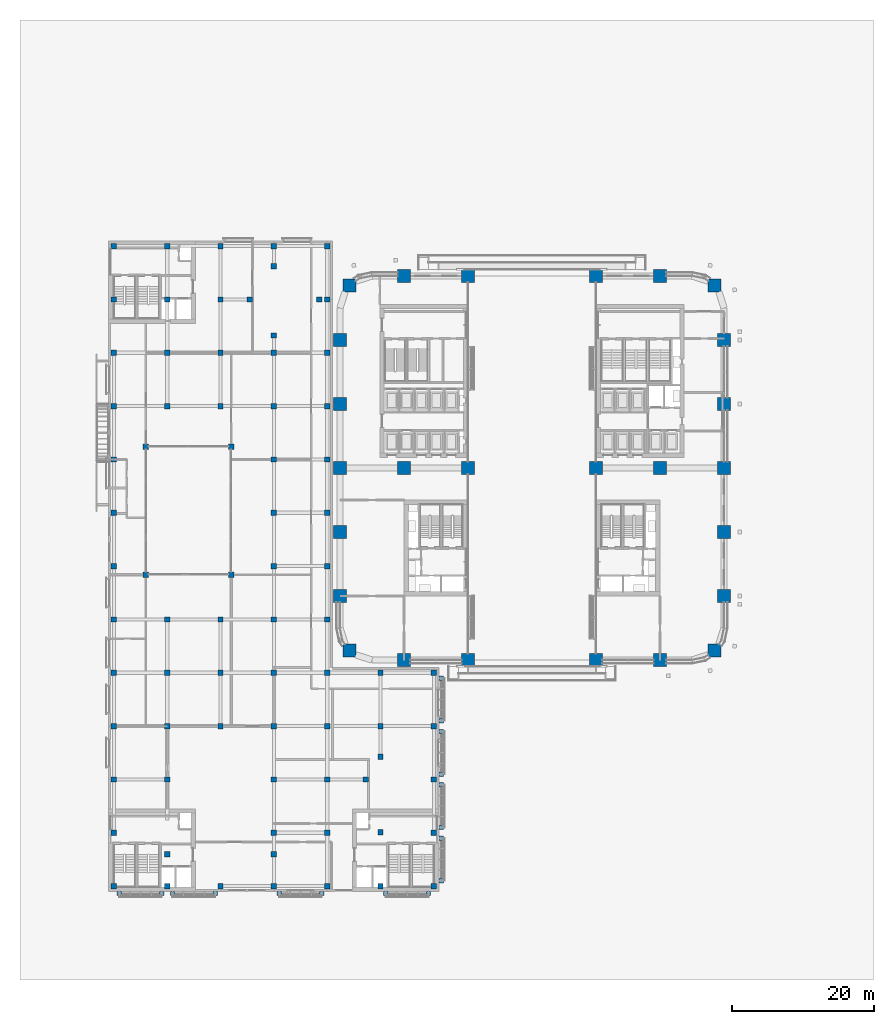
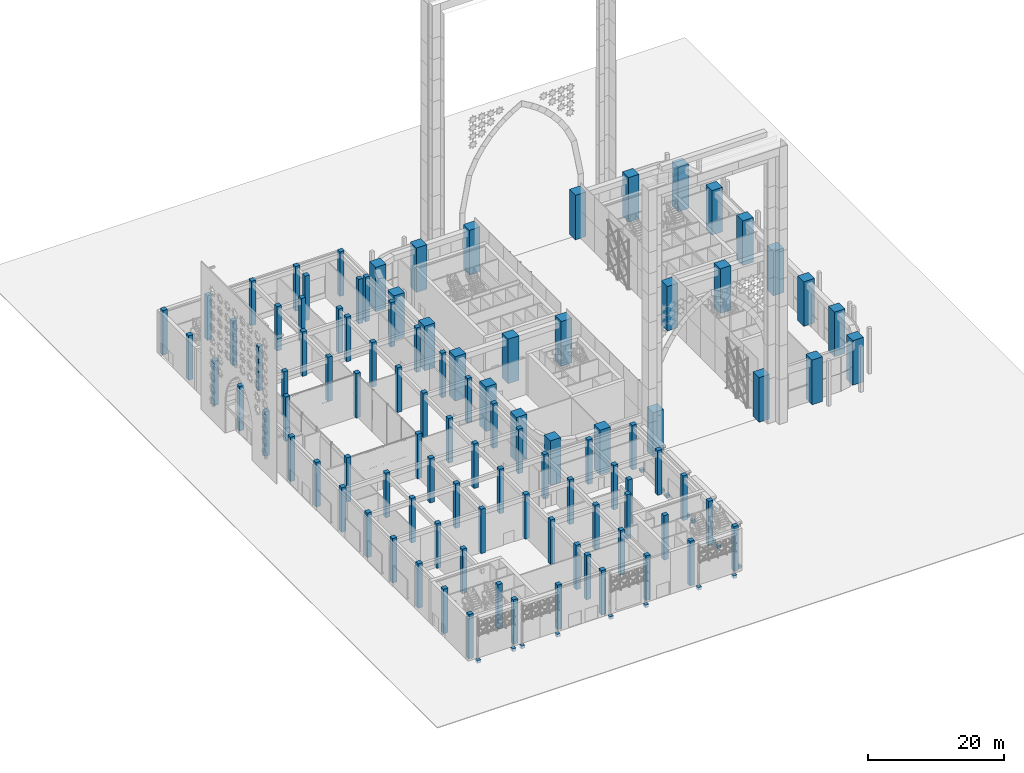
# One storey, part 1 of 64: 102 columns, 16 footings.
"""IFC4 building model written with IfcOpenShell, lengths in metres."""

from ifc_helpers import new_model, si_unit, direction, frame, origin, origin_2d, place, context, subcontext, project, spatial, polyline, rectangle, outline, extrude, material, layer, layer_set, material_profile, profile_set, type_object, element, save


model = new_model("IFC4")

# Units and contexts
model_context = context("Model", 3, precision=1e-05, world=origin(), true_north=direction((0.0, 1.0)))
body_context = subcontext(model_context, "Body", "Model", "MODEL_VIEW")
ifc_project = project(units=[si_unit("LENGTHUNIT", "METRE"), si_unit("AREAUNIT", "SQUARE_METRE"), si_unit("VOLUMEUNIT", "CUBIC_METRE"), si_unit("PLANEANGLEUNIT", "RADIAN"), si_unit("MASSUNIT", "GRAM", prefix="KILO")], contexts=[model_context])

# Site, building, storey
site_placement = place(None, origin())
site = spatial("IfcSite", under=ifc_project, at=site_placement, CompositionType="ELEMENT")
building_placement = place(site_placement, origin())
building = spatial("IfcBuilding", under=site, at=building_placement, Name="Tessera Arch", CompositionType="ELEMENT")
storey_placement = place(building_placement, origin())
storey = spatial("IfcBuildingStorey", under=building, at=storey_placement, Name="L00", CompositionType="ELEMENT", Elevation=0.0)

# Footings
ifc_material_1 = material(Name="Concrete C30/37", Category="concrete")
ifc_layer = layer(ifc_material_1, 0.5)
ifc_layer_set = layer_set([ifc_layer], Name="Screen post pad")
footing_type = type_object("IfcFootingType", Name="Screen post pad", PredefinedType="PAD_FOOTING", material=ifc_layer_set)
footing_1_placement = place(storey_placement, frame((0.0, 0.0, -0.5)))
element("IfcFooting", 1, at=footing_1_placement, inside=storey, type_object=footing_type, Name="Screen post pad", PredefinedType="PAD_FOOTING", context=body_context, shape_type="SweptSolid", body=[
    extrude(outline(polyline([(-31.35009765625, -32.550048828125), (-30.75, -32.550048828125), (-30.75, -33.14990234375), (-31.35009765625, -33.14990234375), (-31.35009765625, -32.550048828125)])), origin(), (0.0, 0.0, 1.0), 0.5),
])
footing_2_placement = place(storey_placement, frame((0.0, 0.0, -0.5)))
element("IfcFooting", 2, at=footing_2_placement, inside=storey, type_object=footing_type, Name="Screen post pad", PredefinedType="PAD_FOOTING", context=body_context, shape_type="SweptSolid", body=[
    extrude(outline(polyline([(-25.35009765625, -32.550048828125), (-24.75, -32.550048828125), (-24.75, -33.14990234375), (-25.35009765625, -33.14990234375), (-25.35009765625, -32.550048828125)])), origin(), (0.0, 0.0, 1.0), 0.5),
])
footing_3_placement = place(storey_placement, frame((0.0, 0.0, -0.5)))
element("IfcFooting", 3, at=footing_3_placement, inside=storey, type_object=footing_type, Name="Screen post pad", PredefinedType="PAD_FOOTING", context=body_context, shape_type="SweptSolid", body=[
    extrude(outline(polyline([(-23.85009765625, -32.550048828125), (-23.25, -32.550048828125), (-23.25, -33.14990234375), (-23.85009765625, -33.14990234375), (-23.85009765625, -32.550048828125)])), origin(), (0.0, 0.0, 1.0), 0.5),
])
footing_4_placement = place(storey_placement, frame((0.0, 0.0, -0.5)))
element("IfcFooting", 4, at=footing_4_placement, inside=storey, type_object=footing_type, Name="Screen post pad", PredefinedType="PAD_FOOTING", context=body_context, shape_type="SweptSolid", body=[
    extrude(outline(polyline([(-17.85009765625, -32.550048828125), (-17.25, -32.550048828125), (-17.25, -33.14990234375), (-17.85009765625, -33.14990234375), (-17.85009765625, -32.550048828125)])), origin(), (0.0, 0.0, 1.0), 0.5),
])
footing_5_placement = place(storey_placement, frame((0.0, 0.0, -0.5)))
element("IfcFooting", 5, at=footing_5_placement, inside=storey, type_object=footing_type, Name="Screen post pad", PredefinedType="PAD_FOOTING", context=body_context, shape_type="SweptSolid", body=[
    extrude(outline(polyline([(-8.85009765625, -32.550048828125), (-8.25, -32.550048828125), (-8.25, -33.14990234375), (-8.85009765625, -33.14990234375), (-8.85009765625, -32.550048828125)])), origin(), (0.0, 0.0, 1.0), 0.5),
])
footing_6_placement = place(storey_placement, frame((0.0, 0.0, -0.5)))
element("IfcFooting", 6, at=footing_6_placement, inside=storey, type_object=footing_type, Name="Screen post pad", PredefinedType="PAD_FOOTING", context=body_context, shape_type="SweptSolid", body=[
    extrude(outline(polyline([(-2.85009765625, -32.550048828125), (-2.25, -32.550048828125), (-2.25, -33.14990234375), (-2.85009765625, -33.14990234375), (-2.85009765625, -32.550048828125)])), origin(), (0.0, 0.0, 1.0), 0.5),
])
footing_7_placement = place(storey_placement, frame((0.0, 0.0, -0.5)))
element("IfcFooting", 7, at=footing_7_placement, inside=storey, type_object=footing_type, Name="Screen post pad", PredefinedType="PAD_FOOTING", context=body_context, shape_type="SweptSolid", body=[
    extrude(outline(polyline([(6.14990234375, -32.550048828125), (6.75, -32.550048828125), (6.75, -33.14990234375), (6.14990234375, -33.14990234375), (6.14990234375, -32.550048828125)])), origin(), (0.0, 0.0, 1.0), 0.5),
])
footing_8_placement = place(storey_placement, frame((0.0, 0.0, -0.5)))
element("IfcFooting", 8, at=footing_8_placement, inside=storey, type_object=footing_type, Name="Screen post pad", PredefinedType="PAD_FOOTING", context=body_context, shape_type="SweptSolid", body=[
    extrude(outline(polyline([(12.14990234375, -32.550048828125), (12.75, -32.550048828125), (12.75, -33.14990234375), (12.14990234375, -33.14990234375), (12.14990234375, -32.550048828125)])), origin(), (0.0, 0.0, 1.0), 0.5),
])
footing_9_placement = place(storey_placement, frame((0.0, 0.0, -0.5)))
element("IfcFooting", 9, at=footing_9_placement, inside=storey, type_object=footing_type, Name="Screen post pad", PredefinedType="PAD_FOOTING", context=body_context, shape_type="SweptSolid", body=[
    extrude(outline(polyline([(13.949951171875, -31.35009765625), (13.949951171875, -30.75), (14.550048828125, -30.75), (14.550048828125, -31.35009765625), (13.949951171875, -31.35009765625)])), origin(), (0.0, 0.0, 1.0), 0.5),
])
footing_10_placement = place(storey_placement, frame((0.0, 0.0, -0.5)))
element("IfcFooting", 10, at=footing_10_placement, inside=storey, type_object=footing_type, Name="Screen post pad", PredefinedType="PAD_FOOTING", context=body_context, shape_type="SweptSolid", body=[
    extrude(outline(polyline([(13.949951171875, -25.35009765625), (13.949951171875, -24.75), (14.550048828125, -24.75), (14.550048828125, -25.35009765625), (13.949951171875, -25.35009765625)])), origin(), (0.0, 0.0, 1.0), 0.5),
])
footing_11_placement = place(storey_placement, frame((0.0, 0.0, -0.5)))
element("IfcFooting", 11, at=footing_11_placement, inside=storey, type_object=footing_type, Name="Screen post pad", PredefinedType="PAD_FOOTING", context=body_context, shape_type="SweptSolid", body=[
    extrude(outline(polyline([(13.949951171875, -23.85009765625), (13.949951171875, -23.25), (14.550048828125, -23.25), (14.550048828125, -23.85009765625), (13.949951171875, -23.85009765625)])), origin(), (0.0, 0.0, 1.0), 0.5),
])
footing_12_placement = place(storey_placement, frame((0.0, 0.0, -0.5)))
element("IfcFooting", 12, at=footing_12_placement, inside=storey, type_object=footing_type, Name="Screen post pad", PredefinedType="PAD_FOOTING", context=body_context, shape_type="SweptSolid", body=[
    extrude(outline(polyline([(13.949951171875, -17.85009765625), (13.949951171875, -17.25), (14.550048828125, -17.25), (14.550048828125, -17.85009765625), (13.949951171875, -17.85009765625)])), origin(), (0.0, 0.0, 1.0), 0.5),
])
footing_13_placement = place(storey_placement, frame((0.0, 0.0, -0.5)))
element("IfcFooting", 13, at=footing_13_placement, inside=storey, type_object=footing_type, Name="Screen post pad", PredefinedType="PAD_FOOTING", context=body_context, shape_type="SweptSolid", body=[
    extrude(outline(polyline([(13.949951171875, -16.35009765625), (13.949951171875, -15.75), (14.550048828125, -15.75), (14.550048828125, -16.35009765625), (13.949951171875, -16.35009765625)])), origin(), (0.0, 0.0, 1.0), 0.5),
])
footing_14_placement = place(storey_placement, frame((0.0, 0.0, -0.5)))
element("IfcFooting", 14, at=footing_14_placement, inside=storey, type_object=footing_type, Name="Screen post pad", PredefinedType="PAD_FOOTING", context=body_context, shape_type="SweptSolid", body=[
    extrude(outline(polyline([(13.949951171875, -10.35009765625), (13.949951171875, -9.75), (14.550048828125, -9.75), (14.550048828125, -10.35009765625), (13.949951171875, -10.35009765625)])), origin(), (0.0, 0.0, 1.0), 0.5),
])
footing_15_placement = place(storey_placement, frame((0.0, 0.0, -0.5)))
element("IfcFooting", 15, at=footing_15_placement, inside=storey, type_object=footing_type, Name="Screen post pad", PredefinedType="PAD_FOOTING", context=body_context, shape_type="SweptSolid", body=[
    extrude(outline(polyline([(13.949951171875, -8.85009765625), (13.949951171875, -8.25), (14.550048828125, -8.25), (14.550048828125, -8.85009765625), (13.949951171875, -8.85009765625)])), origin(), (0.0, 0.0, 1.0), 0.5),
])
footing_16_placement = place(storey_placement, frame((0.0, 0.0, -0.5)))
element("IfcFooting", 16, at=footing_16_placement, inside=storey, type_object=footing_type, Name="Screen post pad", PredefinedType="PAD_FOOTING", context=body_context, shape_type="SweptSolid", body=[
    extrude(outline(polyline([(13.949951171875, -2.85009765625), (13.949951171875, -2.25), (14.550048828125, -2.25), (14.550048828125, -2.85009765625), (13.949951171875, -2.85009765625)])), origin(), (0.0, 0.0, 1.0), 0.5),
])

# Columns
ifc_material_2 = material(Name="Concrete C50/60", Category="concrete")
ifc_material_profile_1 = material_profile(ifc_material_2, rectangle(XDim=0.75, YDim=0.75, at=origin_2d()), Name="Museum column 750 x 750 Concrete C50/60")
ifc_profile_set_1 = profile_set([ifc_material_profile_1], Name="Concrete C50/60")
column_type_1 = type_object("IfcColumnType", Name="Museum column 750 x 750 Concrete C50/60", PredefinedType="COLUMN", material=ifc_profile_set_1)
for number, where, z_axis, x_axis, name in (
    (17, (-31.800048828125, -31.800048828125, 0.0), (0.0, 0.0, 1.0), (1.0, 0.0, 0.0), "Museum column P1Q1 L00"),
    (18, (-31.800048828125, -24.300048828125, 0.0), (0.0, 0.0, 1.0), (1.0, 0.0, 0.0), "Museum column P1Q2 L00"),
    (19, (-31.800048828125, -16.800048828125, 0.0), (0.0, 0.0, 1.0), (1.0, 0.0, 0.0), "Museum column P1Q3 L00"),
    (20, (-31.800048828125, -9.300048828125, 0.0), (0.0, 0.0, 1.0), (1.0, 0.0, 0.0), "Museum column P1Q4 L00"),
    (21, (-31.800048828125, -1.800048828125, 0.0), (0.0, 0.0, 1.0), (1.0, 0.0, 0.0), "Museum column P1Q5 L00"),
    (22, (-31.800048828125, 5.699951171875, 0.0), (0.0, 0.0, 1.0), (1.0, 0.0, 0.0), "Museum column P1Q6 L00"),
    (23, (-31.800048828125, 13.199951171875, 0.0), (0.0, 0.0, 1.0), (1.0, 0.0, 0.0), "Museum column P1Q7 L00"),
    (24, (-31.800048828125, 20.699951171875, 0.0), (0.0, 0.0, 1.0), (1.0, 0.0, 0.0), "Museum column P1Q8 L00"),
    (25, (-31.800048828125, 28.199951171875, 0.0), (0.0, 0.0, 1.0), (1.0, 0.0, 0.0), "Museum column P1Q9 L00"),
    (26, (-31.800048828125, 35.699951171875, 0.0), (0.0, 0.0, 1.0), (1.0, 0.0, 0.0), "Museum column P1Q10 L00"),
    (27, (-31.800048828125, 43.199951171875, 0.0), (0.0, 0.0, 1.0), (1.0, 0.0, 0.0), "Museum column P1Q11 L00"),
    (28, (-31.800048828125, 50.699951171875, 0.0), (0.0, 0.0, 1.0), (1.0, 0.0, 0.0), "Museum column P1Q12 L00"),
    (29, (-31.800048828125, 58.199951171875, 0.0), (0.0, 0.0, 1.0), (1.0, 0.0, 0.0), "Museum column P1Q13 L00"),
    (30, (-24.300048828125, -31.800048828125, 0.0), (0.0, 0.0, 1.0), (1.0, 0.0, 0.0), "Museum column P2Q1 L00"),
    (31, (-24.300048828125, -16.800048828125, 0.0), (0.0, 0.0, 1.0), (1.0, 0.0, 0.0), "Museum column P2Q3 L00"),
    (32, (-24.300048828125, -9.300048828125, 0.0), (0.0, 0.0, 1.0), (1.0, 0.0, 0.0), "Museum column P2Q4 L00"),
    (33, (-24.300048828125, -1.800048828125, 0.0), (0.0, 0.0, 1.0), (1.0, 0.0, 0.0), "Museum column P2Q5 L00"),
    (34, (-24.300048828125, 5.699951171875, 0.0), (0.0, 0.0, 1.0), (1.0, 0.0, 0.0), "Museum column P2Q6 L00"),
    (35, (-24.300048828125, 35.699951171875, 0.0), (0.0, 0.0, 1.0), (1.0, 0.0, 0.0), "Museum column P2Q10 L00"),
    (36, (-24.300048828125, 43.199951171875, 0.0), (0.0, 0.0, 1.0), (1.0, 0.0, 0.0), "Museum column P2Q11 L00"),
    (37, (-24.300048828125, 50.699951171875, 0.0), (0.0, 0.0, 1.0), (1.0, 0.0, 0.0), "Museum column P2Q12 L00"),
    (38, (-24.300048828125, 58.199951171875, 0.0), (0.0, 0.0, 1.0), (1.0, 0.0, 0.0), "Museum column P2Q13 L00"),
    (39, (-16.800048828125, -31.800048828125, 0.0), (0.0, 0.0, 1.0), (1.0, 0.0, 0.0), "Museum column P3Q1 L00"),
    (40, (-16.800048828125, -9.300048828125, 0.0), (0.0, 0.0, 1.0), (1.0, 0.0, 0.0), "Museum column P3Q4 L00"),
    (41, (-16.800048828125, -1.800048828125, 0.0), (0.0, 0.0, 1.0), (1.0, 0.0, 0.0), "Museum column P3Q5 L00"),
    (42, (-16.800048828125, 5.699951171875, 0.0), (0.0, 0.0, 1.0), (1.0, 0.0, 0.0), "Museum column P3Q6 L00"),
    (43, (-16.800048828125, 35.699951171875, 0.0), (0.0, 0.0, 1.0), (1.0, 0.0, 0.0), "Museum column P3Q10 L00"),
    (44, (-16.800048828125, 43.199951171875, 0.0), (0.0, 0.0, 1.0), (1.0, 0.0, 0.0), "Museum column P3Q11 L00"),
    (45, (-16.800048828125, 50.699951171875, 0.0), (0.0, 0.0, 1.0), (1.0, 0.0, 0.0), "Museum column P3Q12 L00"),
    (46, (-16.800048828125, 58.199951171875, 0.0), (0.0, 0.0, 1.0), (1.0, 0.0, 0.0), "Museum column P3Q13 L00"),
    (47, (-9.300048828125, -31.800048828125, 0.0), (0.0, 0.0, 1.0), (1.0, 0.0, 0.0), "Museum column P4Q1 L00"),
    (48, (-9.300048828125, -24.300048828125, 0.0), (0.0, 0.0, 1.0), (1.0, 0.0, 0.0), "Museum column P4Q2 L00"),
    (49, (-9.300048828125, -16.800048828125, 0.0), (0.0, 0.0, 1.0), (1.0, 0.0, 0.0), "Museum column P4Q3 L00"),
    (50, (-9.300048828125, -9.300048828125, 0.0), (0.0, 0.0, 1.0), (1.0, 0.0, 0.0), "Museum column P4Q4 L00"),
    (51, (-9.300048828125, -1.800048828125, 0.0), (0.0, 0.0, 1.0), (1.0, 0.0, 0.0), "Museum column P4Q5 L00"),
    (52, (-9.300048828125, 5.699951171875, 0.0), (0.0, 0.0, 1.0), (1.0, 0.0, 0.0), "Museum column P4Q6 L00"),
    (53, (-9.300048828125, 13.199951171875, 0.0), (0.0, 0.0, 1.0), (1.0, 0.0, 0.0), "Museum column P4Q7 L00"),
    (54, (-9.300048828125, 20.699951171875, 0.0), (0.0, 0.0, 1.0), (1.0, 0.0, 0.0), "Museum column P4Q8 L00"),
    (55, (-9.300048828125, 28.199951171875, 0.0), (0.0, 0.0, 1.0), (1.0, 0.0, 0.0), "Museum column P4Q9 L00"),
    (56, (-9.300048828125, 35.699951171875, 0.0), (0.0, 0.0, 1.0), (1.0, 0.0, 0.0), "Museum column P4Q10 L00"),
    (57, (-9.300048828125, 43.199951171875, 0.0), (0.0, 0.0, 1.0), (1.0, 0.0, 0.0), "Museum column P4Q11 L00"),
    (58, (-9.300048828125, 58.199951171875, 0.0), (0.0, 0.0, 1.0), (1.0, 0.0, 0.0), "Museum column P4Q13 L00"),
    (59, (-1.800048828125, -31.800048828125, 0.0), (0.0, 0.0, 1.0), (1.0, 0.0, 0.0), "Museum column P5Q1 L00"),
    (60, (-1.800048828125, -24.300048828125, 0.0), (0.0, 0.0, 1.0), (1.0, 0.0, 0.0), "Museum column P5Q2 L00"),
    (61, (-1.800048828125, -16.800048828125, 0.0), (0.0, 0.0, 1.0), (1.0, 0.0, 0.0), "Museum column P5Q3 L00"),
    (62, (-1.800048828125, -9.300048828125, 0.0), (0.0, 0.0, 1.0), (1.0, 0.0, 0.0), "Museum column P5Q4 L00"),
    (63, (-1.800048828125, -1.800048828125, 0.0), (0.0, 0.0, 1.0), (1.0, 0.0, 0.0), "Museum column P5Q5 L00"),
    (64, (-1.800048828125, 5.699951171875, 0.0), (0.0, 0.0, 1.0), (1.0, 0.0, 0.0), "Museum column P5Q6 L00"),
    (65, (-1.800048828125, 13.199951171875, 0.0), (0.0, 0.0, 1.0), (1.0, 0.0, 0.0), "Museum column P5Q7 L00"),
    (66, (-1.800048828125, 20.699951171875, 0.0), (0.0, 0.0, 1.0), (1.0, 0.0, 0.0), "Museum column P5Q8 L00"),
    (67, (-1.800048828125, 28.199951171875, 0.0), (0.0, 0.0, 1.0), (1.0, 0.0, 0.0), "Museum column P5Q9 L00"),
    (68, (-1.800048828125, 35.699951171875, 0.0), (0.0, 0.0, 1.0), (1.0, 0.0, 0.0), "Museum column P5Q10 L00"),
    (69, (-1.800048828125, 43.199951171875, 0.0), (0.0, 0.0, 1.0), (1.0, 0.0, 0.0), "Museum column P5Q11 L00"),
    (70, (-1.800048828125, 50.699951171875, 0.0), (0.0, 0.0, 1.0), (1.0, 0.0, 0.0), "Museum column P5Q12 L00"),
    (71, (-1.800048828125, 58.199951171875, 0.0), (0.0, 0.0, 1.0), (1.0, 0.0, 0.0), "Museum column P5Q13 L00"),
    (72, (5.699951171875, -31.800048828125, 0.0), (0.0, 0.0, 1.0), (1.0, 0.0, 0.0), "Museum column P6Q1 L00"),
    (73, (5.699951171875, -24.199951171875, 0.0), (0.0, 0.0, 1.0), (1.0, 0.0, 0.0), "Museum column P6Q2 L00"),
    (74, (5.699951171875, -9.300048828125, 0.0), (0.0, 0.0, 1.0), (1.0, 0.0, 0.0), "Museum column P6Q4 L00"),
    (75, (5.699951171875, -1.800048828125, 0.0), (0.0, 0.0, 1.0), (1.0, 0.0, 0.0), "Museum column P6Q5 L00"),
    (76, (13.199951171875, -31.800048828125, 0.0), (0.0, 0.0, 1.0), (1.0, 0.0, 0.0), "Museum column P7Q1 L00"),
    (77, (13.199951171875, -24.300048828125, 0.0), (0.0, 0.0, 1.0), (1.0, 0.0, 0.0), "Museum column P7Q2 L00"),
    (78, (13.199951171875, -16.800048828125, 0.0), (0.0, 0.0, 1.0), (1.0, 0.0, 0.0), "Museum column P7Q3 L00"),
    (79, (13.199951171875, -9.300048828125, 0.0), (0.0, 0.0, 1.0), (1.0, 0.0, 0.0), "Museum column P7Q4 L00"),
    (80, (13.199951171875, -1.800048828125, 0.0), (0.0, 0.0, 1.0), (1.0, 0.0, 0.0), "Museum column P7Q5 L00"),
    (81, (-27.300048828125, 12.0, 0.0), (0.0, 0.0, 1.0), (1.0, 0.0, 0.0), "Museum column C1 L00"),
    (82, (-15.300048828125, 12.0, 0.0), (0.0, 0.0, 1.0), (1.0, 0.0, 0.0), "Museum column C2 L00"),
    (83, (-15.300048828125, 30.0, 0.0), (0.0, 0.0, 1.0), (1.0, 0.0, 0.0), "Museum column C3 L00"),
    (84, (-27.300048828125, 30.0, 0.0), (0.0, 0.0, 1.0), (1.0, 0.0, 0.0), "Museum column C4 L00"),
    (85, (-24.300048828125, -27.300048828125, 0.0), (0.0, 0.0, 1.0), (1.0, 0.0, 0.0), "Museum column A1 L00"),
    (86, (-9.300048828125, -27.300048828125, 0.0), (0.0, 0.0, 1.0), (1.0, 0.0, 0.0), "Museum column A2 L00"),
    (87, (-12.675048828125, 50.699951171875, 0.0), (0.0, 0.0, 1.0), (1.0, 0.0, 0.0), "Museum column P3Q12TE L00"),
    (88, (-9.300048828125, 45.625, 0.0), (0.0, 0.0, 1.0), (1.0, 0.0, 0.0), "Museum column P4Q11TN L00"),
    (89, (-9.300048828125, 55.375, 0.0), (0.0, 0.0, 1.0), (1.0, 0.0, 0.0), "Museum column P4Q13TS L00"),
    (90, (3.625, -16.800048828125, 0.0), (0.0, 0.0, 1.0), (1.0, 0.0, 0.0), "Museum column P5Q3TE L00"),
    (91, (-2.925048828125, 50.699951171875, 0.0), (0.0, 0.0, 1.0), (1.0, 0.0, 0.0), "Museum column P5Q12TW L00"),
    (92, (5.699951171875, -13.625, 0.0), (0.0, 0.0, 1.0), (1.0, 0.0, 0.0), "Museum column P6Q4TS L00"),
):
    element("IfcColumn", number, at=place(storey_placement, frame(where, z_axis=z_axis, x_axis=x_axis)), inside=storey, type_object=column_type_1, Name=name, PredefinedType="COLUMN", context=body_context, shape_type="SweptSolid", body=[
        extrude(rectangle(XDim=0.75, YDim=0.75, at=origin_2d()), origin(), (0.0, 0.0, 1.0), 8.0),
    ])
ifc_material_3 = material(Name="Concrete C80/95", Category="concrete")
ifc_material_profile_2 = material_profile(ifc_material_3, rectangle(XDim=1.800048828125, YDim=1.800048828125, at=origin_2d()), Name="RC column 1800 x 1800 Concrete C80/95")
ifc_profile_set_2 = profile_set([ifc_material_profile_2], Name="Concrete C80/95")
column_type_2 = type_object("IfcColumnType", Name="RC column 1800 x 1800 Concrete C80/95", PredefinedType="COLUMN", material=ifc_profile_set_2)
for number, where, z_axis, x_axis, name in (
    (93, (1.318115234375, 1.318115234375, 0.0), (0.0, 0.0, 1.0), (1.0, 0.0, 0.0), "Column C1A L00"),
    (94, (0.0, 9.0, 0.0), (0.0, 0.0, 1.0), (1.0, 0.0, 0.0), "Column C1B L00"),
    (95, (0.0, 18.0, 0.0), (0.0, 0.0, 1.0), (1.0, 0.0, 0.0), "Column C1C L00"),
    (96, (0.0, 27.0, 0.0), (0.0, 0.0, 1.0), (1.0, 0.0, 0.0), "Column C1D L00"),
    (97, (0.0, 36.0, 0.0), (0.0, 0.0, 1.0), (1.0, 0.0, 0.0), "Column C1E L00"),
    (98, (0.0, 45.0, 0.0), (0.0, 0.0, 1.0), (1.0, 0.0, 0.0), "Column C1F L00"),
    (99, (1.318115234375, 52.681884765625, 0.0), (0.0, 0.0, 1.0), (1.0, 0.0, 0.0), "Column C1G L00"),
    (100, (9.0, 0.0, 0.0), (0.0, 0.0, 1.0), (1.0, 0.0, 0.0), "Column C2A L00"),
    (101, (9.0, 27.0, 0.0), (0.0, 0.0, 1.0), (1.0, 0.0, 0.0), "Column C2D L00"),
    (102, (9.0, 54.0, 0.0), (0.0, 0.0, 1.0), (1.0, 0.0, 0.0), "Column C2G L00"),
    (103, (18.0, 0.0, 0.0), (0.0, 0.0, 1.0), (1.0, 0.0, 0.0), "Column C3A L00"),
    (104, (18.0, 27.0, 0.0), (0.0, 0.0, 1.0), (1.0, 0.0, 0.0), "Column C3D L00"),
    (105, (18.0, 54.0, 0.0), (0.0, 0.0, 1.0), (1.0, 0.0, 0.0), "Column C3G L00"),
    (106, (36.0, 0.0, 0.0), (0.0, 0.0, 1.0), (1.0, 0.0, 0.0), "Column C5A L00"),
    (107, (36.0, 27.0, 0.0), (0.0, 0.0, 1.0), (1.0, 0.0, 0.0), "Column C5D L00"),
    (108, (36.0, 54.0, 0.0), (0.0, 0.0, 1.0), (1.0, 0.0, 0.0), "Column C5G L00"),
    (109, (45.0, 0.0, 0.0), (0.0, 0.0, 1.0), (1.0, 0.0, 0.0), "Column C6A L00"),
    (110, (45.0, 27.0, 0.0), (0.0, 0.0, 1.0), (1.0, 0.0, 0.0), "Column C6D L00"),
    (111, (45.0, 54.0, 0.0), (0.0, 0.0, 1.0), (1.0, 0.0, 0.0), "Column C6G L00"),
    (112, (52.681884765625, 1.318115234375, 0.0), (0.0, 0.0, 1.0), (1.0, 0.0, 0.0), "Column C7A L00"),
    (113, (54.0, 9.0, 0.0), (0.0, 0.0, 1.0), (1.0, 0.0, 0.0), "Column C7B L00"),
    (114, (54.0, 18.0, 0.0), (0.0, 0.0, 1.0), (1.0, 0.0, 0.0), "Column C7C L00"),
    (115, (54.0, 27.0, 0.0), (0.0, 0.0, 1.0), (1.0, 0.0, 0.0), "Column C7D L00"),
    (116, (54.0, 36.0, 0.0), (0.0, 0.0, 1.0), (1.0, 0.0, 0.0), "Column C7E L00"),
    (117, (54.0, 45.0, 0.0), (0.0, 0.0, 1.0), (1.0, 0.0, 0.0), "Column C7F L00"),
    (118, (52.681884765625, 52.681884765625, 0.0), (0.0, 0.0, 1.0), (1.0, 0.0, 0.0), "Column C7G L00"),
):
    element("IfcColumn", number, at=place(storey_placement, frame(where, z_axis=z_axis, x_axis=x_axis)), inside=storey, type_object=column_type_2, Name=name, PredefinedType="COLUMN", context=body_context, shape_type="SweptSolid", body=[
        extrude(rectangle(XDim=1.800048828125, YDim=1.800048828125, at=origin_2d()), origin(), (0.0, 0.0, 1.0), 8.0),
    ])

save(model, "model.ifc")
